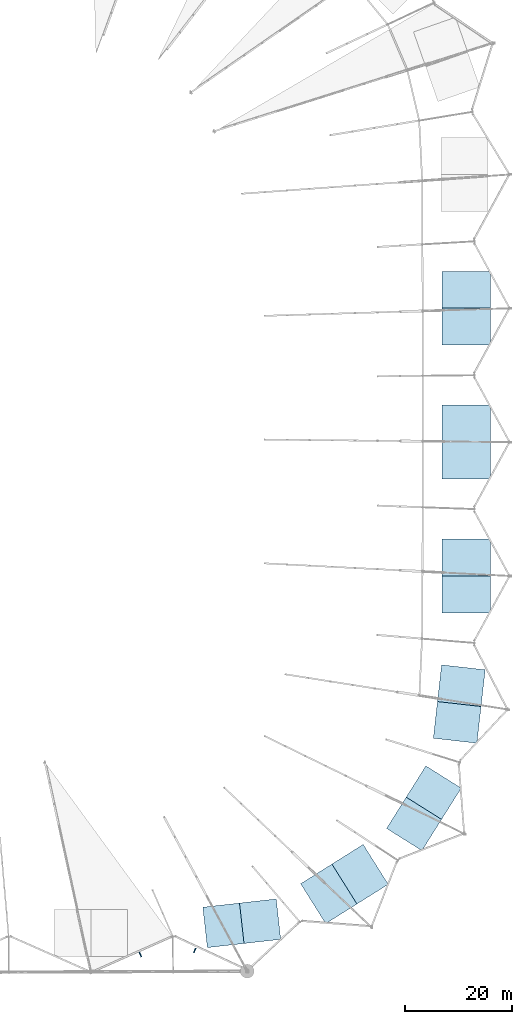
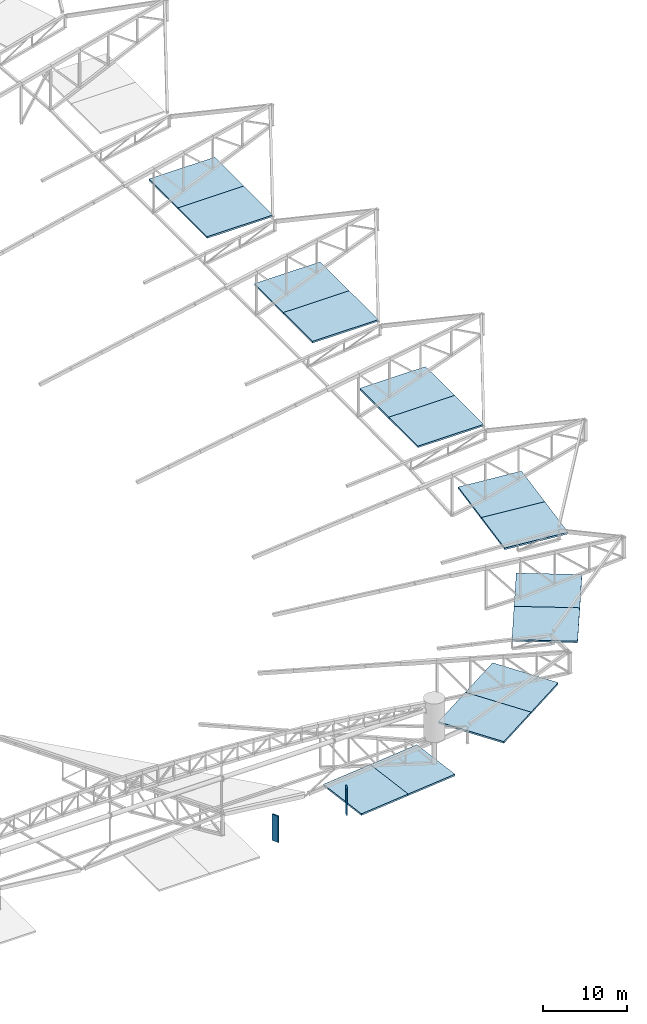
# One storey, part 117 of 188: 14 slabs, 2 plates.
"""IFC4 building model written with IfcOpenShell, lengths in metres."""

from ifc_helpers import new_model, si_unit, direction, frame, origin, origin_2d, place, context, subcontext, project, spatial, polyline, rectangle, outline, extrude, material, layer, layer_set, type_object, element, save


model = new_model("IFC4")

# Units and contexts
model_context = context("Model", 3, precision=1e-05, world=origin(), true_north=direction((0.0, 1.0)))
body_context = subcontext(model_context, "Body", "Model", "MODEL_VIEW")
ifc_project = project(units=[si_unit("LENGTHUNIT", "METRE"), si_unit("AREAUNIT", "SQUARE_METRE"), si_unit("VOLUMEUNIT", "CUBIC_METRE"), si_unit("PLANEANGLEUNIT", "RADIAN"), si_unit("MASSUNIT", "GRAM", prefix="KILO")], contexts=[model_context])

# Site, building, storey
site_placement = place(None, origin())
site = spatial("IfcSite", under=ifc_project, at=site_placement, CompositionType="ELEMENT")
building_placement = place(site_placement, origin())
building = spatial("IfcBuilding", under=site, at=building_placement, Name="Meseta Stadium", CompositionType="ELEMENT")
storey_placement = place(building_placement, frame((0.0, 0.0, 30.0)))
storey = spatial("IfcBuildingStorey", under=building, at=storey_placement, Name="ROOF", CompositionType="ELEMENT", Elevation=30.0)

# Slabs
ifc_material_1 = material(Name="Concrete C40/50", Category="concrete")
ifc_layer_1 = layer(ifc_material_1, 0.25)
ifc_layer_set_1 = layer_set([ifc_layer_1], Name="Core roof slab 250")
slab_type = type_object("IfcSlabType", Name="Core roof slab 250", PredefinedType="ROOF", material=ifc_layer_set_1)
slab_1_placement = place(storey_placement, frame((0.0, 0.0, -0.25)))
element("IfcSlab", 1, at=slab_1_placement, inside=storey, type_object=slab_type, Name="Core 01 stair A roof", PredefinedType="ROOF", context=body_context, shape_type="SweptSolid", body=[
    extrude(outline(polyline([(95.11181640625, -62.477294921875), (86.96337890625, -61.55908203125), (87.73583984375, -54.702392578125), (95.884521484375, -55.62060546875), (95.11181640625, -62.477294921875)])), origin(), (0.0, 0.0, 1.0), 0.25),
])
slab_2_placement = place(storey_placement, frame((0.0, 0.0, -0.25)))
element("IfcSlab", 2, at=slab_2_placement, inside=storey, type_object=slab_type, Name="Core 01 stair B roof", PredefinedType="ROOF", context=body_context, shape_type="SweptSolid", body=[
    extrude(outline(polyline([(95.884521484375, -55.62060546875), (87.73583984375, -54.702392578125), (88.508544921875, -47.845947265625), (96.656982421875, -48.763916015625), (95.884521484375, -55.62060546875)])), origin(), (0.0, 0.0, 1.0), 0.25),
])
slab_3_placement = place(storey_placement, frame((0.0, 0.0, -0.25)))
element("IfcSlab", 3, at=slab_3_placement, inside=storey, type_object=slab_type, Name="Core 02 stair A roof", PredefinedType="ROOF", context=body_context, shape_type="SweptSolid", body=[
    extrude(outline(polyline([(97.60009765625, -38.14990234375), (88.60009765625, -38.14990234375), (88.60009765625, -31.25), (97.60009765625, -31.25), (97.60009765625, -38.14990234375)])), origin(), (0.0, 0.0, 1.0), 0.25),
])
slab_4_placement = place(storey_placement, frame((0.0, 0.0, -0.25)))
element("IfcSlab", 4, at=slab_4_placement, inside=storey, type_object=slab_type, Name="Core 02 stair B roof", PredefinedType="ROOF", context=body_context, shape_type="SweptSolid", body=[
    extrude(outline(polyline([(97.60009765625, -31.25), (88.60009765625, -31.25), (88.60009765625, -24.35009765625), (97.60009765625, -24.35009765625), (97.60009765625, -31.25)])), origin(), (0.0, 0.0, 1.0), 0.25),
])
slab_5_placement = place(storey_placement, frame((0.0, 0.0, -0.25)))
element("IfcSlab", 5, at=slab_5_placement, inside=storey, type_object=slab_type, Name="Core 03 stair A roof", PredefinedType="ROOF", context=body_context, shape_type="SweptSolid", body=[
    extrude(outline(polyline([(97.60009765625, -13.14990234375), (88.60009765625, -13.14990234375), (88.60009765625, -6.25), (97.60009765625, -6.25), (97.60009765625, -13.14990234375)])), origin(), (0.0, 0.0, 1.0), 0.25),
])
slab_6_placement = place(storey_placement, frame((0.0, 0.0, -0.25)))
element("IfcSlab", 6, at=slab_6_placement, inside=storey, type_object=slab_type, Name="Core 03 stair B roof", PredefinedType="ROOF", context=body_context, shape_type="SweptSolid", body=[
    extrude(outline(polyline([(97.60009765625, -6.25), (88.60009765625, -6.25), (88.60009765625, 0.64990234375), (97.60009765625, 0.64990234375), (97.60009765625, -6.25)])), origin(), (0.0, 0.0, 1.0), 0.25),
])
slab_7_placement = place(storey_placement, frame((0.0, 0.0, -0.25)))
element("IfcSlab", 7, at=slab_7_placement, inside=storey, type_object=slab_type, Name="Core 04 stair A roof", PredefinedType="ROOF", context=body_context, shape_type="SweptSolid", body=[
    extrude(outline(polyline([(97.60009765625, 11.85009765625), (88.60009765625, 11.85009765625), (88.60009765625, 18.75), (97.60009765625, 18.75), (97.60009765625, 11.85009765625)])), origin(), (0.0, 0.0, 1.0), 0.25),
])
slab_8_placement = place(storey_placement, frame((0.0, 0.0, -0.25)))
element("IfcSlab", 8, at=slab_8_placement, inside=storey, type_object=slab_type, Name="Core 04 stair B roof", PredefinedType="ROOF", context=body_context, shape_type="SweptSolid", body=[
    extrude(outline(polyline([(97.60009765625, 18.75), (88.60009765625, 18.75), (88.60009765625, 25.64990234375), (97.60009765625, 25.64990234375), (97.60009765625, 18.75)])), origin(), (0.0, 0.0, 1.0), 0.25),
])
slab_9_placement = place(storey_placement, frame((0.0, 0.0, -0.25)))
element("IfcSlab", 9, at=slab_9_placement, inside=storey, type_object=slab_type, Name="Core 26 stair A roof", PredefinedType="ROOF", context=body_context, shape_type="SweptSolid", body=[
    extrude(outline(polyline([(44.763916015625, -100.656982421875), (43.9130859375, -93.104736328125), (50.769775390625, -92.33203125), (51.62060546875, -99.884521484375), (44.763916015625, -100.656982421875)])), origin(), (0.0, 0.0, 1.0), 0.25),
])
slab_10_placement = place(storey_placement, frame((0.0, 0.0, -0.25)))
element("IfcSlab", 10, at=slab_10_placement, inside=storey, type_object=slab_type, Name="Core 26 stair B roof", PredefinedType="ROOF", context=body_context, shape_type="SweptSolid", body=[
    extrude(outline(polyline([(51.62060546875, -99.884521484375), (50.769775390625, -92.33203125), (57.626220703125, -91.5595703125), (58.477294921875, -99.11181640625), (51.62060546875, -99.884521484375)])), origin(), (0.0, 0.0, 1.0), 0.25),
])
slab_11_placement = place(storey_placement, frame((0.0, 0.0, -0.25)))
element("IfcSlab", 11, at=slab_11_placement, inside=storey, type_object=slab_type, Name="Core 27 stair A roof", PredefinedType="ROOF", context=body_context, shape_type="SweptSolid", body=[
    extrude(outline(polyline([(66.865478515625, -96.176513671875), (62.18359375, -88.725341796875), (68.026123046875, -85.054443359375), (72.7080078125, -92.505615234375), (66.865478515625, -96.176513671875)])), origin(), (0.0, 0.0, 1.0), 0.25),
])
slab_12_placement = place(storey_placement, frame((0.0, 0.0, -0.25)))
element("IfcSlab", 12, at=slab_12_placement, inside=storey, type_object=slab_type, Name="Core 27 stair B roof", PredefinedType="ROOF", context=body_context, shape_type="SweptSolid", body=[
    extrude(outline(polyline([(72.7080078125, -92.505615234375), (68.026123046875, -85.054443359375), (73.868408203125, -81.38330078125), (78.55029296875, -88.83447265625), (72.7080078125, -92.505615234375)])), origin(), (0.0, 0.0, 1.0), 0.25),
])
slab_13_placement = place(storey_placement, frame((0.0, 0.0, -0.25)))
element("IfcSlab", 13, at=slab_13_placement, inside=storey, type_object=slab_type, Name="Core 28 stair A roof", PredefinedType="ROOF", context=body_context, shape_type="SweptSolid", body=[
    extrude(outline(polyline([(84.83447265625, -82.55029296875), (78.22998046875, -78.400634765625), (81.901123046875, -72.55810546875), (88.505615234375, -76.7080078125), (84.83447265625, -82.55029296875)])), origin(), (0.0, 0.0, 1.0), 0.25),
])
slab_14_placement = place(storey_placement, frame((0.0, 0.0, -0.25)))
element("IfcSlab", 14, at=slab_14_placement, inside=storey, type_object=slab_type, Name="Core 28 stair B roof", PredefinedType="ROOF", context=body_context, shape_type="SweptSolid", body=[
    extrude(outline(polyline([(88.505615234375, -76.7080078125), (81.901123046875, -72.55810546875), (85.572021484375, -66.7158203125), (92.176513671875, -70.865478515625), (88.505615234375, -76.7080078125)])), origin(), (0.0, 0.0, 1.0), 0.25),
])

# Plates
ifc_material_2 = material(Name="Precast concrete C40/50, terracotta pigment", Category="masonry")
ifc_layer_2 = layer(ifc_material_2, 0.199951171875)
ifc_layer_set_2 = layer_set([ifc_layer_2], Name="Precast concrete C40/50, terracotta pigment")
plate_type = type_object("IfcPlateType", Name="Precast fin 200x900", PredefinedType="USERDEFINED", material=ifc_layer_set_2)
for number, where, z_axis, x_axis, name in (
    (15, (32.273193359375, -101.954833984375, 1.2001953125), (0.0, 0.0, 1.0), (-0.914139367606, -0.405400069798, 0.0), "Precast fin L04 F48.3"),
    (16, (42.42822265625, -101.177490234375, 1.2001953125), (0.0, 0.0, 1.0), (-0.906702748296, 0.421770229193, 0.0), "Precast fin L04 F49.1"),
):
    element("IfcPlate", number, at=place(storey_placement, frame(where, z_axis=z_axis, x_axis=x_axis)), inside=storey, type_object=plate_type, Name=name, ObjectType="FIN", PredefinedType="USERDEFINED", context=body_context, shape_type="SweptSolid", body=[
        extrude(rectangle(XDim=0.199951171875, YDim=0.89990234375, at=origin_2d()), origin(), (0.0, 0.0, 1.0), 3.800048828125),
    ])

save(model, "model.ifc")
